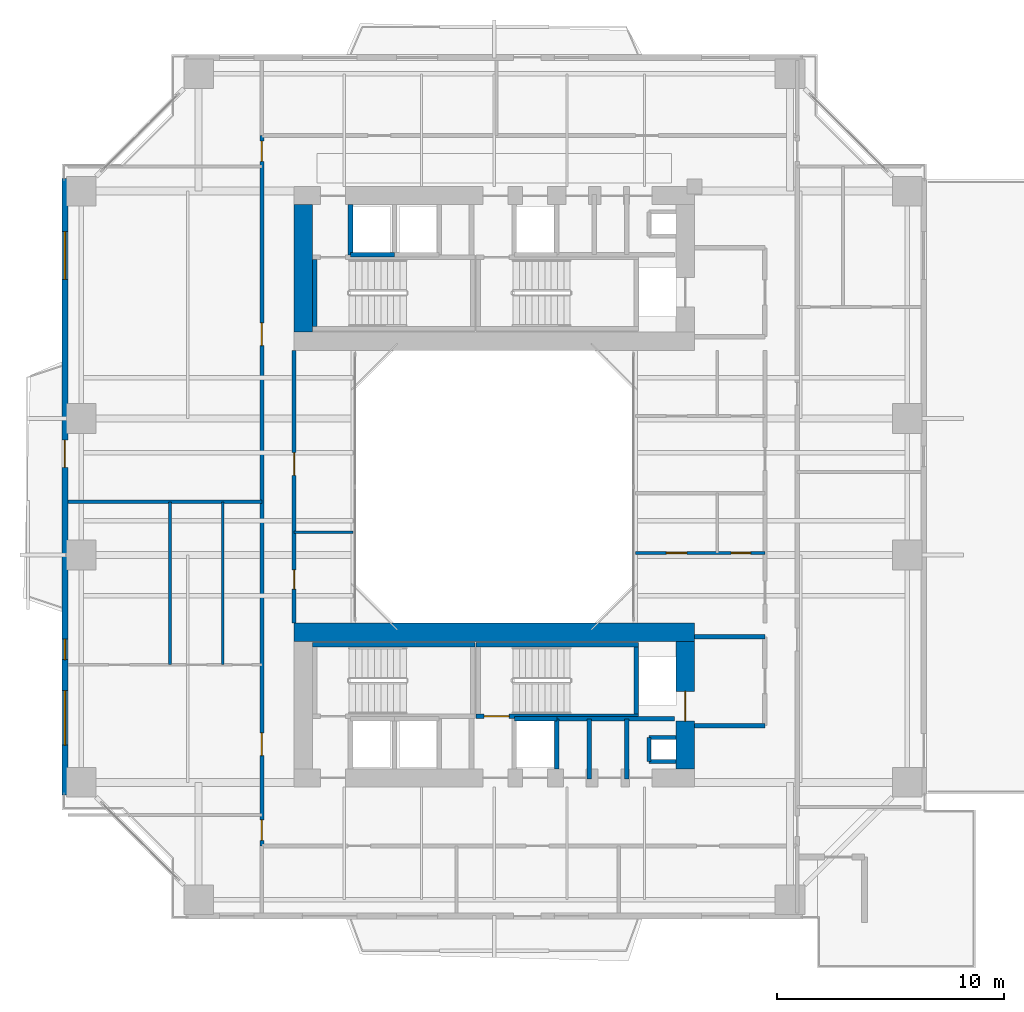
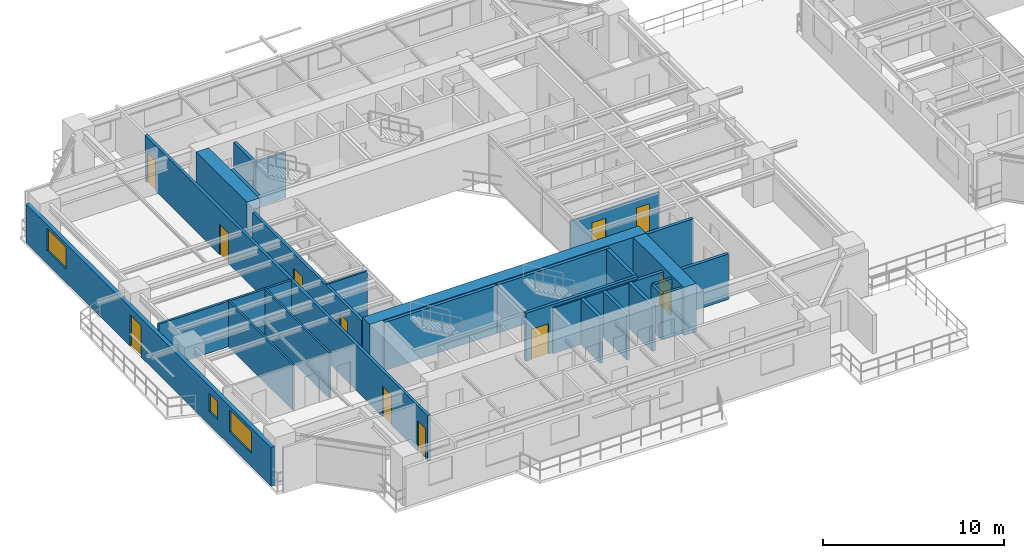
# One storey, part 11 of 22: 28 walls, 11 doors, 3 windows, 14 openings.
"""IFC4 building model written with IfcOpenShell, lengths in metres."""

from ifc_helpers import new_model, si_unit, direction, frame, frame_2d, origin, place, context, subcontext, project, spatial, rectangle, extrude, source, transform, mapped, material, layer, layer_set, type_object, element, fill, save


model = new_model("IFC4")

# Units and contexts
model_context = context("Model", 3, precision=1e-05, world=origin(), true_north=direction((0.0, 1.0)))
body_context = subcontext(model_context, "Body", "Model", "MODEL_VIEW")
ifc_project = project(units=[si_unit("LENGTHUNIT", "METRE"), si_unit("AREAUNIT", "SQUARE_METRE"), si_unit("VOLUMEUNIT", "CUBIC_METRE"), si_unit("PLANEANGLEUNIT", "RADIAN"), si_unit("MASSUNIT", "GRAM", prefix="KILO"), si_unit("THERMODYNAMICTEMPERATUREUNIT", "KELVIN"), si_unit("POWERUNIT", "WATT")], contexts=[model_context])

# Site, building, storey
site_placement = place(None, origin())
site = spatial("IfcSite", under=ifc_project, at=site_placement, CompositionType="ELEMENT")
building_placement = place(site_placement, origin())
building = spatial("IfcBuilding", under=site, at=building_placement, Name="Qiaomeng Ring Towers", CompositionType="ELEMENT")
storey_placement = place(building_placement, frame((0.0, 0.0, 23.0)))
storey = spatial("IfcBuildingStorey", under=building, at=storey_placement, Name="L05", CompositionType="ELEMENT", Elevation=23.0)

# Wall, openings, windows, door
ifc_material_1 = material(Name="Precast concrete C40", Category="concrete")
ifc_layer_1 = layer(ifc_material_1, 0.25, Name="Precast concrete C40")
ifc_layer_set_1 = layer_set([ifc_layer_1], Name="Precast concrete C40")
wall_type_1 = type_object("IfcWallType", Name="ARC-WL-EW1", PredefinedType="STANDARD", material=ifc_layer_set_1)
wall_1_placement = place(storey_placement, frame((0.125, 9.449951171875, 0.0), z_axis=(0.0, 0.0, 1.0), x_axis=(0.0, 1.0, 0.0)))
wall_1 = element("IfcWall", 1, at=wall_1_placement, inside=storey, type_object=wall_type_1, Name="L05 Tower 1 W Exterior Wall", PredefinedType="STANDARD", context=body_context, shape_type="SweptSolid", body=[
    extrude(rectangle(XDim=27.10009765625, YDim=0.25, at=frame_2d((13.550048828125, 0.0))), origin(), (0.0, 0.0, 1.0), 2.610107421875),
])
opening_1_placement = place(wall_1_placement, frame((14.39990234375, 0.0, 0.0)))
opening_1 = element("IfcOpeningElement", 2, at=opening_1_placement, cuts=wall_1, Name="Opening BD1", PredefinedType="OPENING", context=body_context, shape_type="SweptSolid", body=[
    extrude(rectangle(XDim=1.199951171875, YDim=2.10009765625, at=frame_2d((0.60009765625, 1.050048828125))), frame((0.0, 0.135009765625, 0.0), z_axis=(0.0, -1.0, 0.0), x_axis=(1.0, 0.0, 0.0)), (0.0, 0.0, 1.0), 0.27001953125),
])
opening_2_placement = place(wall_1_placement, frame((2.18798828125, 0.0, 0.89990234375)))
opening_2 = element("IfcOpeningElement", 3, at=opening_2_placement, cuts=wall_1, Name="Opening WN6", PredefinedType="OPENING", context=body_context, shape_type="SweptSolid", body=[
    extrude(rectangle(XDim=2.39990234375, YDim=1.47998046875, at=frame_2d((1.199951171875, 0.739990234375))), frame((0.0, 0.135009765625, 0.0), z_axis=(0.0, -1.0, 0.0), x_axis=(1.0, 0.0, 0.0)), (0.0, 0.0, 1.0), 0.27001953125),
])
opening_3_placement = place(wall_1_placement, frame((22.6630859375, 0.0, 0.89990234375)))
opening_3 = element("IfcOpeningElement", 4, at=opening_3_placement, cuts=wall_1, Name="Opening WN4", PredefinedType="OPENING", context=body_context, shape_type="SweptSolid", body=[
    extrude(rectangle(XDim=2.10009765625, YDim=1.47998046875, at=frame_2d((1.050048828125, 0.739990234375))), frame((0.0, 0.135009765625, 0.0), z_axis=(0.0, -1.0, 0.0), x_axis=(1.0, 0.0, 0.0)), (0.0, 0.0, 1.0), 0.27001953125),
])
opening_4_placement = place(wall_1_placement, frame((5.949951171875, 0.0, 0.89990234375)))
opening_4 = element("IfcOpeningElement", 5, at=opening_4_placement, cuts=wall_1, Name="Opening WN5", PredefinedType="OPENING", context=body_context, shape_type="SweptSolid", body=[
    extrude(rectangle(XDim=0.89990234375, YDim=1.199951171875, at=frame_2d((0.449951171875, 0.60009765625))), frame((0.0, 0.135009765625, 0.0), z_axis=(0.0, -1.0, 0.0), x_axis=(1.0, 0.0, 0.0)), (0.0, 0.0, 1.0), 0.27001953125),
])
ifc_material_2 = material(Name="Low-E dark-grey laminated double glazing", Category="glass")
window_type_1 = type_object("IfcWindowType", Name="ARC-WN-4", PartitioningType="TRIPLE_PANEL_VERTICAL", PredefinedType="WINDOW", material=ifc_material_2)
shared_shape_1 = source(origin(), body_context, "Body", "SweptSolid", [
    extrude(rectangle(XDim=2.10009765625, YDim=1.47998046875, at=frame_2d((1.050048828125, 0.739990234375))), frame((0.0, 0.030029296875, 0.0), z_axis=(0.0, -1.0, 0.0), x_axis=(1.0, 0.0, 0.0)), (0.0, 0.0, 1.0), 0.06005859375),
])
window_1_placement = place(opening_3_placement, origin())
window_1 = element("IfcWindow", 6, at=window_1_placement, inside=storey, type_object=window_type_1, Name="L05 Exterior Window WN4", OverallHeight=1.47998046875, OverallWidth=2.10009765625, PartitioningType="TRIPLE_PANEL_VERTICAL", PredefinedType="WINDOW", context=body_context, shape_type="MappedRepresentation", body=[
    mapped(shared_shape_1, transform((0.0, 0.0, 0.0), x_axis=(1.0, 0.0, 0.0), y_axis=(0.0, 1.0, 0.0), z_axis=(0.0, 0.0, 1.0), scale=1.0)),
])
fill(opening_3, window_1)
window_type_2 = type_object("IfcWindowType", Name="ARC-WN-6", PartitioningType="TRIPLE_PANEL_VERTICAL", PredefinedType="WINDOW", material=ifc_material_2)
shared_shape_2 = source(origin(), body_context, "Body", "SweptSolid", [
    extrude(rectangle(XDim=2.39990234375, YDim=1.47998046875, at=frame_2d((1.199951171875, 0.739990234375))), frame((0.0, 0.030029296875, 0.0), z_axis=(0.0, -1.0, 0.0), x_axis=(1.0, 0.0, 0.0)), (0.0, 0.0, 1.0), 0.06005859375),
])
window_2_placement = place(opening_2_placement, origin())
window_2 = element("IfcWindow", 7, at=window_2_placement, inside=storey, type_object=window_type_2, Name="L05 Exterior Window WN6", OverallHeight=1.47998046875, OverallWidth=2.39990234375, PartitioningType="TRIPLE_PANEL_VERTICAL", PredefinedType="WINDOW", context=body_context, shape_type="MappedRepresentation", body=[
    mapped(shared_shape_2, transform((0.0, 0.0, 0.0), x_axis=(1.0, 0.0, 0.0), y_axis=(0.0, 1.0, 0.0), z_axis=(0.0, 0.0, 1.0), scale=1.0)),
])
fill(opening_2, window_2)
door_type_1 = type_object("IfcDoorType", Name="ARC-DR-BD1", OperationType="NOTDEFINED", PredefinedType="DOOR", material=ifc_material_2)
shared_shape_3 = source(origin(), body_context, "Body", "SweptSolid", [
    extrude(rectangle(XDim=1.199951171875, YDim=2.10009765625, at=frame_2d((0.60009765625, 1.050048828125))), frame((0.0, 0.02490234375, 0.0), z_axis=(0.0, -1.0, 0.0), x_axis=(1.0, 0.0, 0.0)), (0.0, 0.0, 1.0), 0.050048828125),
])
door_1_placement = place(opening_1_placement, frame((1.199951171875, 0.0, 0.0), z_axis=(0.0, 0.0, 1.0), x_axis=(-1.0, 0.0, 0.0)))
door_1 = element("IfcDoor", 8, at=door_1_placement, inside=storey, type_object=door_type_1, Name="L05 W Balcony Glazed Door", OperationType="SINGLE_SWING_LEFT", OverallHeight=2.10009765625, OverallWidth=1.199951171875, PredefinedType="DOOR", context=body_context, shape_type="MappedRepresentation", body=[
    mapped(shared_shape_3, transform((0.0, 0.0, 0.0), x_axis=(1.0, 0.0, 0.0), y_axis=(0.0, 1.0, 0.0), z_axis=(0.0, 0.0, 1.0), scale=1.0)),
])
fill(opening_1, door_1)
window_type_3 = type_object("IfcWindowType", Name="ARC-WN-5", PartitioningType="SINGLE_PANEL", PredefinedType="WINDOW", material=ifc_material_2)
shared_shape_4 = source(origin(), body_context, "Body", "SweptSolid", [
    extrude(rectangle(XDim=0.89990234375, YDim=1.199951171875, at=frame_2d((0.449951171875, 0.60009765625))), frame((0.0, 0.030029296875, 0.0), z_axis=(0.0, -1.0, 0.0), x_axis=(1.0, 0.0, 0.0)), (0.0, 0.0, 1.0), 0.06005859375),
])
window_3_placement = place(opening_4_placement, origin())
window_3 = element("IfcWindow", 9, at=window_3_placement, inside=storey, type_object=window_type_3, Name="L05 Exterior Window WN5", OverallHeight=1.199951171875, OverallWidth=0.89990234375, PartitioningType="SINGLE_PANEL", PredefinedType="WINDOW", context=body_context, shape_type="MappedRepresentation", body=[
    mapped(shared_shape_4, transform((0.0, 0.0, 0.0), x_axis=(1.0, 0.0, 0.0), y_axis=(0.0, 1.0, 0.0), z_axis=(0.0, 0.0, 1.0), scale=1.0)),
])
fill(opening_4, window_3)

# Walls
ifc_material_3 = material(Name="Autoclaved aerated concrete block", Category="concrete")
ifc_layer_2 = layer(ifc_material_3, 0.199951171875, Name="Autoclaved aerated concrete block")
ifc_layer_set_2 = layer_set([ifc_layer_2], Name="Autoclaved aerated concrete block")
wall_type_2 = type_object("IfcWallType", Name="ARC-WL-PW1", PredefinedType="PARTITIONING", material=ifc_layer_set_2)
for number, where, z_axis, x_axis, name in (
    (10, (27.800048828125, 16.39990234375, 0.0), (0.0, 0.0, 1.0), (1.0, 0.0, 0.0), "L05 Interior Wall PW1"),
    (11, (27.800048828125, 12.5, 0.0), (0.0, 0.0, 1.0), (1.0, 0.0, 0.0), "L05 Interior Wall PW1"),
):
    element("IfcWall", number, at=place(storey_placement, frame(where, z_axis=z_axis, x_axis=x_axis)), inside=storey, type_object=wall_type_2, Name=name, PredefinedType="PARTITIONING", context=body_context, shape_type="SweptSolid", body=[
        extrude(rectangle(XDim=3.099853515625, YDim=0.199951171875, at=frame_2d((1.5498046875, 0.0))), origin(), (0.0, 0.0, 1.0), 3.070068359375),
    ])
wall_2_placement = place(storey_placement, frame((12.679931640625, 33.18994140625, 0.0), z_axis=(0.0, 0.0, 1.0), x_axis=(0.0, 1.0, 0.0)))
element("IfcWall", 12, at=wall_2_placement, inside=storey, type_object=wall_type_2, Name="L05 Interior Wall PW1", PredefinedType="PARTITIONING", context=body_context, shape_type="SweptSolid", body=[
    extrude(rectangle(XDim=2.2099609375, YDim=0.199951171875, at=frame_2d((1.10498046875, 0.0))), origin(), (0.0, 0.0, 1.0), 3.070068359375),
])
wall_3_placement = place(storey_placement, frame((24.820068359375, 10.14990234375, 0.0), z_axis=(0.0, 0.0, 1.0), x_axis=(0.0, 1.0, 0.0)))
element("IfcWall", 13, at=wall_3_placement, inside=storey, type_object=wall_type_2, Name="L05 Interior Wall PW1", PredefinedType="PARTITIONING", context=body_context, shape_type="SweptSolid", body=[
    extrude(rectangle(XDim=2.650146484375, YDim=0.199951171875, at=frame_2d((1.3251953125, 0.0))), origin(), (0.0, 0.0, 1.0), 3.070068359375),
])
wall_4_placement = place(storey_placement, frame((21.75, 10.60009765625, 0.0), z_axis=(0.0, 0.0, 1.0), x_axis=(0.0, 1.0, 0.0)))
element("IfcWall", 14, at=wall_4_placement, inside=storey, type_object=wall_type_2, Name="L05 Interior Wall PW1", PredefinedType="PARTITIONING", context=body_context, shape_type="SweptSolid", body=[
    extrude(rectangle(XDim=2.199951171875, YDim=0.199951171875, at=frame_2d((1.10009765625, 0.0))), origin(), (0.0, 0.0, 1.0), 3.070068359375),
])
wall_5_placement = place(storey_placement, frame((23.169921875, 10.14990234375, 0.0), z_axis=(0.0, 0.0, 1.0), x_axis=(0.0, 1.0, 0.0)))
element("IfcWall", 15, at=wall_5_placement, inside=storey, type_object=wall_type_2, Name="L05 Interior Wall PW1", PredefinedType="PARTITIONING", context=body_context, shape_type="SweptSolid", body=[
    extrude(rectangle(XDim=2.650146484375, YDim=0.199951171875, at=frame_2d((1.3251953125, 0.0))), origin(), (0.0, 0.0, 1.0), 3.070068359375),
])
wall_6_placement = place(storey_placement, frame((21.75, 12.800048828125, 0.0), z_axis=(0.0, 0.0, 1.0), x_axis=(1.0, 0.0, 0.0)))
element("IfcWall", 16, at=wall_6_placement, inside=storey, type_object=wall_type_2, Name="L05 Interior Wall PW1", PredefinedType="PARTITIONING", context=body_context, shape_type="SweptSolid", body=[
    extrude(rectangle(XDim=5.169921875, YDim=0.199951171875, at=frame_2d((2.5849609375, 0.0))), origin(), (0.0, 0.0, 1.0), 3.070068359375),
])

# Wall, openings, doors
ifc_layer_3 = layer(ifc_material_3, 0.179931640625, Name="Autoclaved aerated concrete block")
ifc_layer_set_3 = layer_set([ifc_layer_3], Name="Autoclaved aerated concrete block")
wall_type_3 = type_object("IfcWallType", Name="ARC-WL-PW2", PredefinedType="PARTITIONING", material=ifc_layer_set_3)
wall_7_placement = place(storey_placement, frame((8.780029296875, 7.2099609375, 0.0), z_axis=(0.0, 0.0, 1.0), x_axis=(0.0, 1.0, 0.0)))
wall_7 = element("IfcWall", 17, at=wall_7_placement, inside=storey, type_object=wall_type_3, Name="L05 Interior Wall PW2", PredefinedType="PARTITIONING", context=body_context, shape_type="SweptSolid", body=[
    extrude(rectangle(XDim=31.22998046875, YDim=0.179931640625, at=frame_2d((15.614990234375, 0.0))), origin(), (0.0, 0.0, 1.0), 3.070068359375),
])
opening_5_placement = place(wall_7_placement, frame((30.090087890625, 0.0, 0.0)))
opening_5 = element("IfcOpeningElement", 18, at=opening_5_placement, cuts=wall_7, Name="Opening ID1", PredefinedType="OPENING", context=body_context, shape_type="SweptSolid", body=[
    extrude(rectangle(XDim=0.89990234375, YDim=2.050048828125, at=frame_2d((0.449951171875, 1.02490234375))), frame((0.0, 0.099853515625, 0.0), z_axis=(0.0, -1.0, 0.0), x_axis=(1.0, 0.0, 0.0)), (0.0, 0.0, 1.0), 0.199951171875),
])
opening_6_placement = place(wall_7_placement, frame((0.239990234375, 0.0, 0.0)))
opening_6 = element("IfcOpeningElement", 19, at=opening_6_placement, cuts=wall_7, Name="Opening ID1", PredefinedType="OPENING", context=body_context, shape_type="SweptSolid", body=[
    extrude(rectangle(XDim=0.89990234375, YDim=2.050048828125, at=frame_2d((0.449951171875, 1.02490234375))), frame((0.0, 0.099853515625, 0.0), z_axis=(0.0, -1.0, 0.0), x_axis=(1.0, 0.0, 0.0)), (0.0, 0.0, 1.0), 0.199951171875),
])
opening_7_placement = place(wall_7_placement, frame((3.97509765625, 0.0, 0.0)))
opening_7 = element("IfcOpeningElement", 20, at=opening_7_placement, cuts=wall_7, Name="Opening FD4", PredefinedType="OPENING", context=body_context, shape_type="SweptSolid", body=[
    extrude(rectangle(XDim=1.0, YDim=2.050048828125, at=frame_2d((0.5, 1.02490234375))), frame((0.0, 0.099853515625, 0.0), z_axis=(0.0, -1.0, 0.0), x_axis=(1.0, 0.0, 0.0)), (0.0, 0.0, 1.0), 0.199951171875),
])
opening_8_placement = place(wall_7_placement, frame((22.0, 0.0, 0.0)))
opening_8 = element("IfcOpeningElement", 21, at=opening_8_placement, cuts=wall_7, Name="Opening FD4", PredefinedType="OPENING", context=body_context, shape_type="SweptSolid", body=[
    extrude(rectangle(XDim=1.0, YDim=2.050048828125, at=frame_2d((0.5, 1.02490234375))), frame((0.0, 0.099853515625, 0.0), z_axis=(0.0, -1.0, 0.0), x_axis=(1.0, 0.0, 0.0)), (0.0, 0.0, 1.0), 0.199951171875),
])
ifc_material_4 = material(Name="Engineered fire-rated oak timber", Category="wood")
door_type_2 = type_object("IfcDoorType", Name="ARC-DR-FD4", OperationType="NOTDEFINED", PredefinedType="DOOR", material=ifc_material_4)
shared_shape_5 = source(origin(), body_context, "Body", "SweptSolid", [
    extrude(rectangle(XDim=1.0, YDim=2.050048828125, at=frame_2d((0.5, 1.02490234375))), frame((0.0, 0.02490234375, 0.0), z_axis=(0.0, -1.0, 0.0), x_axis=(1.0, 0.0, 0.0)), (0.0, 0.0, 1.0), 0.050048828125),
])
door_2_placement = place(opening_7_placement, origin())
door_2 = element("IfcDoor", 22, at=door_2_placement, inside=storey, type_object=door_type_2, Name="L05 Door FD4", OperationType="SINGLE_SWING_RIGHT", OverallHeight=2.050048828125, OverallWidth=1.0, PredefinedType="DOOR", context=body_context, shape_type="MappedRepresentation", body=[
    mapped(shared_shape_5, transform((0.0, 0.0, 0.0), x_axis=(1.0, 0.0, 0.0), y_axis=(0.0, 1.0, 0.0), z_axis=(0.0, 0.0, 1.0), scale=1.0)),
])
fill(opening_7, door_2)
door_3_placement = place(opening_8_placement, origin())
door_3 = element("IfcDoor", 23, at=door_3_placement, inside=storey, type_object=door_type_2, Name="L05 Door FD4", OperationType="SINGLE_SWING_LEFT", OverallHeight=2.050048828125, OverallWidth=1.0, PredefinedType="DOOR", context=body_context, shape_type="MappedRepresentation", body=[
    mapped(shared_shape_5, transform((0.0, 0.0, 0.0), x_axis=(1.0, 0.0, 0.0), y_axis=(0.0, 1.0, 0.0), z_axis=(0.0, 0.0, 1.0), scale=1.0)),
])
fill(opening_8, door_3)
ifc_material_5 = material(Name="Engineered oak timber", Category="wood")
door_type_3 = type_object("IfcDoorType", Name="ARC-DR-ID1", OperationType="NOTDEFINED", PredefinedType="DOOR", material=ifc_material_5)
shared_shape_6 = source(origin(), body_context, "Body", "SweptSolid", [
    extrude(rectangle(XDim=0.89990234375, YDim=2.050048828125, at=frame_2d((0.449951171875, 1.02490234375))), frame((0.0, 0.02490234375, 0.0), z_axis=(0.0, -1.0, 0.0), x_axis=(1.0, 0.0, 0.0)), (0.0, 0.0, 1.0), 0.050048828125),
])
door_4_placement = place(opening_5_placement, origin())
door_4 = element("IfcDoor", 24, at=door_4_placement, inside=storey, type_object=door_type_3, Name="L05 Door ID1", OperationType="SINGLE_SWING_LEFT", OverallHeight=2.050048828125, OverallWidth=0.89990234375, PredefinedType="DOOR", context=body_context, shape_type="MappedRepresentation", body=[
    mapped(shared_shape_6, transform((0.0, 0.0, 0.0), x_axis=(1.0, 0.0, 0.0), y_axis=(0.0, 1.0, 0.0), z_axis=(0.0, 0.0, 1.0), scale=1.0)),
])
fill(opening_5, door_4)
door_5_placement = place(opening_6_placement, origin())
door_5 = element("IfcDoor", 25, at=door_5_placement, inside=storey, type_object=door_type_3, Name="L05 Door ID1", OperationType="SINGLE_SWING_RIGHT", OverallHeight=2.050048828125, OverallWidth=0.89990234375, PredefinedType="DOOR", context=body_context, shape_type="MappedRepresentation", body=[
    mapped(shared_shape_6, transform((0.0, 0.0, 0.0), x_axis=(1.0, 0.0, 0.0), y_axis=(0.0, 1.0, 0.0), z_axis=(0.0, 0.0, 1.0), scale=1.0)),
])
fill(opening_6, door_5)

wall_8_placement = place(storey_placement, frame((10.199951171875, 17.0, 0.0), z_axis=(0.0, 0.0, 1.0), x_axis=(0.0, 1.0, 0.0)))
wall_8 = element("IfcWall", 26, at=wall_8_placement, inside=storey, type_object=wall_type_3, Name="L05 Interior Wall PW2", PredefinedType="PARTITIONING", context=body_context, shape_type="SweptSolid", body=[
    extrude(rectangle(XDim=12.0, YDim=0.179931640625, at=frame_2d((6.0, 0.0))), origin(), (0.0, 0.0, 1.0), 3.070068359375),
])
opening_9_placement = place(wall_8_placement, frame((1.5, 0.0, 0.0)))
opening_9 = element("IfcOpeningElement", 27, at=opening_9_placement, cuts=wall_8, Name="Opening ID2", PredefinedType="OPENING", context=body_context, shape_type="SweptSolid", body=[
    extrude(rectangle(XDim=0.85009765625, YDim=2.050048828125, at=frame_2d((0.425048828125, 1.02490234375))), frame((0.0, 0.099853515625, 0.0), z_axis=(0.0, -1.0, 0.0), x_axis=(1.0, 0.0, 0.0)), (0.0, 0.0, 1.0), 0.199951171875),
])
opening_10_placement = place(wall_8_placement, frame((6.5, 0.0, 0.0)))
opening_10 = element("IfcOpeningElement", 28, at=opening_10_placement, cuts=wall_8, Name="Opening FD4", PredefinedType="OPENING", context=body_context, shape_type="SweptSolid", body=[
    extrude(rectangle(XDim=1.0, YDim=2.050048828125, at=frame_2d((0.5, 1.02490234375))), frame((0.0, 0.099853515625, 0.0), z_axis=(0.0, -1.0, 0.0), x_axis=(1.0, 0.0, 0.0)), (0.0, 0.0, 1.0), 0.199951171875),
])
door_6_placement = place(opening_10_placement, origin())
door_6 = element("IfcDoor", 29, at=door_6_placement, inside=storey, type_object=door_type_2, Name="L05 Door FD4", OperationType="SINGLE_SWING_LEFT", OverallHeight=2.050048828125, OverallWidth=1.0, PredefinedType="DOOR", context=body_context, shape_type="MappedRepresentation", body=[
    mapped(shared_shape_5, transform((0.0, 0.0, 0.0), x_axis=(1.0, 0.0, 0.0), y_axis=(0.0, 1.0, 0.0), z_axis=(0.0, 0.0, 1.0), scale=1.0)),
])
fill(opening_10, door_6)
ifc_material_6 = material(Name="Moisture-resistant engineered timber", Category="wood")
door_type_4 = type_object("IfcDoorType", Name="ARC-DR-ID2", OperationType="NOTDEFINED", PredefinedType="DOOR", material=ifc_material_6)
shared_shape_7 = source(origin(), body_context, "Body", "SweptSolid", [
    extrude(rectangle(XDim=0.85009765625, YDim=2.050048828125, at=frame_2d((0.425048828125, 1.02490234375))), frame((0.0, 0.02490234375, 0.0), z_axis=(0.0, -1.0, 0.0), x_axis=(1.0, 0.0, 0.0)), (0.0, 0.0, 1.0), 0.050048828125),
])
door_7_placement = place(opening_9_placement, origin())
door_7 = element("IfcDoor", 30, at=door_7_placement, inside=storey, type_object=door_type_4, Name="L05 Door ID2", OperationType="SINGLE_SWING_RIGHT", OverallHeight=2.050048828125, OverallWidth=0.85009765625, PredefinedType="DOOR", context=body_context, shape_type="MappedRepresentation", body=[
    mapped(shared_shape_7, transform((0.0, 0.0, 0.0), x_axis=(1.0, 0.0, 0.0), y_axis=(0.0, 1.0, 0.0), z_axis=(0.0, 0.0, 1.0), scale=1.0)),
])
fill(opening_9, door_7)

# Walls
ifc_material_7 = material(Name="Gypsum fireboard steel-stud partition", Category="steel")
ifc_layer_4 = layer(ifc_material_7, 0.14990234375, Name="Gypsum fireboard steel-stud partition")
ifc_layer_set_4 = layer_set([ifc_layer_4], Name="Gypsum fireboard steel-stud partition")
wall_type_4 = type_object("IfcWallType", Name="ARC-WL-PW3", PredefinedType="PARTITIONING", material=ifc_layer_set_4)
wall_9_placement = place(storey_placement, frame((0.25, 22.340087890625, 0.0), z_axis=(0.0, 0.0, 1.0), x_axis=(1.0, 0.0, 0.0)))
element("IfcWall", 31, at=wall_9_placement, inside=storey, type_object=wall_type_4, Name="L05 Interior Wall PW3", PredefinedType="PARTITIONING", context=body_context, shape_type="SweptSolid", body=[
    extrude(rectangle(XDim=8.530029296875, YDim=0.14990234375, at=frame_2d((4.26513671875, 0.0))), origin(), (0.0, 0.0, 1.0), 3.070068359375),
])
ifc_material_8 = material(Name="Moisture-resistant gypsum steel-stud partition", Category="steel")
ifc_layer_5 = layer(ifc_material_8, 0.1201171875, Name="Moisture-resistant gypsum steel-stud partition")
ifc_layer_set_5 = layer_set([ifc_layer_5], Name="Moisture-resistant gypsum steel-stud partition")
wall_type_5 = type_object("IfcWallType", Name="ARC-WL-PW4", PredefinedType="PLUMBINGWALL", material=ifc_layer_set_5)
for number, where, z_axis, x_axis, name in (
    (32, (4.739990234375, 15.179931640625, 0.0), (0.0, 0.0, 1.0), (0.0, 1.0, 0.0), "L05 Interior Wall PW4"),
    (33, (7.06005859375, 15.179931640625, 0.0), (0.0, 0.0, 1.0), (0.0, 1.0, 0.0), "L05 Interior Wall PW4"),
):
    element("IfcWall", number, at=place(storey_placement, frame(where, z_axis=z_axis, x_axis=x_axis)), inside=storey, type_object=wall_type_5, Name=name, PredefinedType="PLUMBINGWALL", context=body_context, shape_type="SweptSolid", body=[
        extrude(rectangle(XDim=7.16015625, YDim=0.1201171875, at=frame_2d((3.580078125, 0.0))), origin(), (0.0, 0.0, 1.0), 3.070068359375),
    ])
wall_10_placement = place(storey_placement, frame((10.199951171875, 21.0, 0.0), z_axis=(0.0, 0.0, 1.0), x_axis=(1.0, 0.0, 0.0)))
element("IfcWall", 34, at=wall_10_placement, inside=storey, type_object=wall_type_5, Name="L05 Interior Wall PW4", PredefinedType="PLUMBINGWALL", context=body_context, shape_type="SweptSolid", body=[
    extrude(rectangle(XDim=2.580078125, YDim=0.1201171875, at=frame_2d((1.2900390625, 0.0))), origin(), (0.0, 0.0, 1.0), 3.070068359375),
])

# Wall, openings, doors
wall_11_placement = place(storey_placement, frame((25.219970703125, 20.090087890625, 0.0), z_axis=(0.0, 0.0, 1.0), x_axis=(1.0, 0.0, 0.0)))
wall_11 = element("IfcWall", 35, at=wall_11_placement, inside=storey, type_object=wall_type_5, Name="L05 Interior Wall PW4", PredefinedType="PLUMBINGWALL", context=body_context, shape_type="SweptSolid", body=[
    extrude(rectangle(XDim=5.679931640625, YDim=0.1201171875, at=frame_2d((2.83984375, 0.0))), origin(), (0.0, 0.0, 1.0), 2.625),
])
opening_11_placement = place(wall_11_placement, frame((1.35009765625, 0.0, 0.0)))
opening_11 = element("IfcOpeningElement", 36, at=opening_11_placement, cuts=wall_11, Name="Opening ID1", PredefinedType="OPENING", context=body_context, shape_type="SweptSolid", body=[
    extrude(rectangle(XDim=0.89990234375, YDim=2.050048828125, at=frame_2d((0.449951171875, 1.02490234375))), frame((0.0, 0.070068359375, 0.0), z_axis=(0.0, -1.0, 0.0), x_axis=(1.0, 0.0, 0.0)), (0.0, 0.0, 1.0), 0.14013671875),
])
opening_12_placement = place(wall_11_placement, frame((4.195068359375, 0.0, 0.0)))
opening_12 = element("IfcOpeningElement", 37, at=opening_12_placement, cuts=wall_11, Name="Opening ID2", PredefinedType="OPENING", context=body_context, shape_type="SweptSolid", body=[
    extrude(rectangle(XDim=0.85009765625, YDim=2.050048828125, at=frame_2d((0.425048828125, 1.02490234375))), frame((0.0, 0.070068359375, 0.0), z_axis=(0.0, -1.0, 0.0), x_axis=(1.0, 0.0, 0.0)), (0.0, 0.0, 1.0), 0.14013671875),
])
door_8_placement = place(opening_12_placement, origin())
door_8 = element("IfcDoor", 38, at=door_8_placement, inside=storey, type_object=door_type_4, Name="L05 Door ID2", OperationType="SINGLE_SWING_LEFT", OverallHeight=2.050048828125, OverallWidth=0.85009765625, PredefinedType="DOOR", context=body_context, shape_type="MappedRepresentation", body=[
    mapped(shared_shape_7, transform((0.0, 0.0, 0.0), x_axis=(1.0, 0.0, 0.0), y_axis=(0.0, 1.0, 0.0), z_axis=(0.0, 0.0, 1.0), scale=1.0)),
])
fill(opening_12, door_8)
door_9_placement = place(opening_11_placement, origin())
door_9 = element("IfcDoor", 39, at=door_9_placement, inside=storey, type_object=door_type_3, Name="L05 Door ID1", OperationType="SINGLE_SWING_RIGHT", OverallHeight=2.050048828125, OverallWidth=0.89990234375, PredefinedType="DOOR", context=body_context, shape_type="MappedRepresentation", body=[
    mapped(shared_shape_6, transform((0.0, 0.0, 0.0), x_axis=(1.0, 0.0, 0.0), y_axis=(0.0, 1.0, 0.0), z_axis=(0.0, 0.0, 1.0), scale=1.0)),
])
fill(opening_11, door_9)

# Walls
ifc_material_9 = material(Name="Concrete C40", Category="concrete")
ifc_layer_6 = layer(ifc_material_9, 0.199951171875, Name="Concrete C40")
ifc_layer_set_6 = layer_set([ifc_layer_6], Name="Concrete C40")
wall_type_6 = type_object("IfcWallType", Name="STR-WL-STSHAFT", PredefinedType="SHEAR", material=ifc_layer_set_6)
wall_12_placement = place(storey_placement, frame((12.679931640625, 33.199951171875, 0.0), z_axis=(0.0, 0.0, 1.0), x_axis=(1.0, 0.0, 0.0)))
element("IfcWall", 40, at=wall_12_placement, inside=storey, type_object=wall_type_6, Name="L05 Lift LP5 Shaft Back Wall", PredefinedType="SHEAR", context=body_context, shape_type="SweptSolid", body=[
    extrude(rectangle(XDim=1.940185546875, YDim=0.179931640625, at=frame_2d((0.97021484375, 0.0))), origin(), (0.0, 0.0, 1.0), 3.070068359375),
])
wall_13_placement = place(storey_placement, frame((25.800048828125, 10.919921875, 0.0), z_axis=(0.0, 0.0, 1.0), x_axis=(0.0, 1.0, 0.0)))
element("IfcWall", 41, at=wall_13_placement, inside=storey, type_object=wall_type_6, Name="L05 Riser RSR1 West Shaft Wall S", PredefinedType="SHEAR", context=body_context, shape_type="SweptSolid", body=[
    extrude(rectangle(XDim=1.06005859375, YDim=0.179931640625, at=frame_2d((0.530029296875, 0.0))), origin(), (0.0, 0.0, 1.0), 3.070068359375),
])
for number, where, z_axis, x_axis, name in (
    (42, (25.800048828125, 11.97998046875, 0.0), (0.0, 0.0, 1.0), (1.0, 0.0, 0.0), "L05 Riser RSR1 North Shaft Wall S"),
    (43, (25.800048828125, 10.919921875, 0.0), (0.0, 0.0, 1.0), (1.0, 0.0, 0.0), "L05 Riser RSR1 South Shaft Wall S"),
):
    element("IfcWall", number, at=place(storey_placement, frame(where, z_axis=z_axis, x_axis=x_axis)), inside=storey, type_object=wall_type_6, Name=name, PredefinedType="SHEAR", context=body_context, shape_type="SweptSolid", body=[
        extrude(rectangle(XDim=1.199951171875, YDim=0.179931640625, at=frame_2d((0.60009765625, 0.0))), origin(), (0.0, 0.0, 1.0), 3.070068359375),
    ])
wall_14_placement = place(storey_placement, frame((19.8798828125, 12.800048828125, 0.0), z_axis=(0.0, 0.0, 1.0), x_axis=(1.0, 0.0, 0.0)))
element("IfcWall", 44, at=wall_14_placement, inside=storey, type_object=wall_type_6, Name="L05 Lift LP2 Shaft Back Wall", PredefinedType="SHEAR", context=body_context, shape_type="SweptSolid", body=[
    extrude(rectangle(XDim=1.8701171875, YDim=0.179931640625, at=frame_2d((0.93505859375, 0.0))), origin(), (0.0, 0.0, 1.0), 3.070068359375),
])
wall_15_placement = place(storey_placement, frame((11.10009765625, 30.050048828125, 0.0), z_axis=(0.0, 0.0, 1.0), x_axis=(0.0, 1.0, 0.0)))
element("IfcWall", 45, at=wall_15_placement, inside=storey, type_object=wall_type_6, Name="L05 Stair ST1 West Shaft Shear Wall", PredefinedType="SHEAR", context=body_context, shape_type="SweptSolid", body=[
    extrude(rectangle(XDim=2.93994140625, YDim=0.199951171875, at=frame_2d((1.469970703125, 0.0))), origin(), (0.0, 0.0, 1.0), 3.25),
])
wall_16_placement = place(storey_placement, frame((11.0, 16.050048828125, 0.0), z_axis=(0.0, 0.0, 1.0), x_axis=(1.0, 0.0, 0.0)))
element("IfcWall", 46, at=wall_16_placement, inside=storey, type_object=wall_type_6, Name="L05 Stair ST3 North Shaft Shear Wall", PredefinedType="SHEAR", context=body_context, shape_type="SweptSolid", body=[
    extrude(rectangle(XDim=7.14990234375, YDim=0.199951171875, at=frame_2d((3.574951171875, 0.0))), origin(), (0.0, 0.0, 1.0), 3.25),
])

# Wall, opening, door
wall_17_placement = place(storey_placement, frame((18.199951171875, 12.909912109375, 0.0), z_axis=(0.0, 0.0, 1.0), x_axis=(1.0, 0.0, 0.0)))
wall_17 = element("IfcWall", 47, at=wall_17_placement, inside=storey, type_object=wall_type_6, Name="L05 Stair ST4 South Shaft Shear Wall", PredefinedType="SHEAR", context=body_context, shape_type="SweptSolid", body=[
    extrude(rectangle(XDim=7.150146484375, YDim=0.199951171875, at=frame_2d((3.5751953125, 0.0))), origin(), (0.0, 0.0, 1.0), 3.25),
])
opening_13_placement = place(wall_17_placement, frame((0.35009765625, 0.0, 0.0)))
opening_13 = element("IfcOpeningElement", 48, at=opening_13_placement, cuts=wall_17, Name="Opening FD3", PredefinedType="OPENING", context=body_context, shape_type="SweptSolid", body=[
    extrude(rectangle(XDim=1.10009765625, YDim=2.050048828125, at=frame_2d((0.550048828125, 1.02490234375))), frame((0.0, 0.10986328125, 0.0), z_axis=(0.0, -1.0, 0.0), x_axis=(1.0, 0.0, 0.0)), (0.0, 0.0, 1.0), 0.219970703125),
])
ifc_material_10 = material(Name="Galvanised steel", Category="steel")
door_type_5 = type_object("IfcDoorType", Name="ARC-DR-FD3", OperationType="NOTDEFINED", PredefinedType="DOOR", material=ifc_material_10)
shared_shape_8 = source(origin(), body_context, "Body", "SweptSolid", [
    extrude(rectangle(XDim=1.10009765625, YDim=2.050048828125, at=frame_2d((0.550048828125, 1.02490234375))), frame((0.0, 0.02490234375, 0.0), z_axis=(0.0, -1.0, 0.0), x_axis=(1.0, 0.0, 0.0)), (0.0, 0.0, 1.0), 0.050048828125),
])
door_10_placement = place(opening_13_placement, frame((1.10009765625, 0.0, 0.0), z_axis=(0.0, 0.0, 1.0), x_axis=(-1.0, 0.0, 0.0)))
door_10 = element("IfcDoor", 49, at=door_10_placement, inside=storey, type_object=door_type_5, Name="L05 Stair ST4 Exit Door", OperationType="SINGLE_SWING_LEFT", OverallHeight=2.050048828125, OverallWidth=1.10009765625, PredefinedType="DOOR", context=body_context, shape_type="MappedRepresentation", body=[
    mapped(shared_shape_8, transform((0.0, 0.0, 0.0), x_axis=(1.0, 0.0, 0.0), y_axis=(0.0, 1.0, 0.0), z_axis=(0.0, 0.0, 1.0), scale=1.0)),
])
fill(opening_13, door_10)

# Walls
wall_18_placement = place(storey_placement, frame((18.199951171875, 16.050048828125, 0.0), z_axis=(0.0, 0.0, 1.0), x_axis=(1.0, 0.0, 0.0)))
element("IfcWall", 50, at=wall_18_placement, inside=storey, type_object=wall_type_6, Name="L05 Stair ST4 North Shaft Shear Wall", PredefinedType="SHEAR", context=body_context, shape_type="SweptSolid", body=[
    extrude(rectangle(XDim=7.150146484375, YDim=0.199951171875, at=frame_2d((3.5751953125, 0.0))), origin(), (0.0, 0.0, 1.0), 3.25),
])
wall_19_placement = place(storey_placement, frame((25.25, 13.010009765625, 0.0), z_axis=(0.0, 0.0, 1.0), x_axis=(0.0, 1.0, 0.0)))
element("IfcWall", 51, at=wall_19_placement, inside=storey, type_object=wall_type_6, Name="L05 Stair ST4 East Shaft Shear Wall", PredefinedType="SHEAR", context=body_context, shape_type="SweptSolid", body=[
    extrude(rectangle(XDim=2.93994140625, YDim=0.199951171875, at=frame_2d((1.469970703125, 0.0))), origin(), (0.0, 0.0, 1.0), 3.25),
])
ifc_material_11 = material(Name="Concrete C60", Category="concrete")
ifc_layer_7 = layer(ifc_material_11, 0.800048828125, Name="Concrete C60")
ifc_layer_set_7 = layer_set([ifc_layer_7], Name="Concrete C60")
wall_type_7 = type_object("IfcWallType", Name="STR-WL-SW1", PredefinedType="SHEAR", material=ifc_layer_set_7)
wall_20_placement = place(storey_placement, frame((10.60009765625, 29.800048828125, 0.0), z_axis=(0.0, 0.0, 1.0), x_axis=(0.0, 1.0, 0.0)))
element("IfcWall", 52, at=wall_20_placement, inside=storey, type_object=wall_type_7, Name="L05 T1NC west core shear wall", PredefinedType="SHEAR", context=body_context, shape_type="SweptSolid", body=[
    extrude(rectangle(XDim=5.599853515625, YDim=0.800048828125, at=frame_2d((2.7998046875, 0.0))), origin(), (0.0, 0.0, 1.0), 3.25),
])
wall_21_placement = place(storey_placement, frame((10.199951171875, 16.60009765625, 0.0), z_axis=(0.0, 0.0, 1.0), x_axis=(1.0, 0.0, 0.0)))
element("IfcWall", 53, at=wall_21_placement, inside=storey, type_object=wall_type_7, Name="L05 T1SC north core shear wall", PredefinedType="SHEAR", context=body_context, shape_type="SweptSolid", body=[
    extrude(rectangle(XDim=17.60009765625, YDim=0.800048828125, at=frame_2d((8.800048828125, 0.0))), origin(), (0.0, 0.0, 1.0), 3.25),
])

# Wall, opening, door
wall_22_placement = place(storey_placement, frame((27.39990234375, 10.60009765625, 0.0), z_axis=(0.0, 0.0, 1.0), x_axis=(0.0, 1.0, 0.0)))
wall_22 = element("IfcWall", 54, at=wall_22_placement, inside=storey, type_object=wall_type_7, Name="L05 T1SC east core shear wall", PredefinedType="SHEAR", context=body_context, shape_type="SweptSolid", body=[
    extrude(rectangle(XDim=5.599853515625, YDim=0.800048828125, at=frame_2d((2.7998046875, 0.0))), origin(), (0.0, 0.0, 1.0), 3.25),
])
opening_14_placement = place(wall_22_placement, frame((2.10009765625, 0.0, 0.0)))
opening_14 = element("IfcOpeningElement", 55, at=opening_14_placement, cuts=wall_22, Name="Opening LD2", PredefinedType="OPENING", context=body_context, shape_type="SweptSolid", body=[
    extrude(rectangle(XDim=1.300048828125, YDim=2.050048828125, at=frame_2d((0.64990234375, 1.02490234375))), frame((0.0, 0.409912109375, 0.0), z_axis=(0.0, -1.0, 0.0), x_axis=(1.0, 0.0, 0.0)), (0.0, 0.0, 1.0), 0.820068359375),
])
ifc_material_12 = material(Name="Stainless steel 316", Category="steel")
door_type_6 = type_object("IfcDoorType", Name="ARC-DR-LD2", OperationType="NOTDEFINED", PredefinedType="DOOR", material=ifc_material_12)
shared_shape_9 = source(origin(), body_context, "Body", "SweptSolid", [
    extrude(rectangle(XDim=1.300048828125, YDim=2.050048828125, at=frame_2d((0.64990234375, 1.02490234375))), frame((0.0, 0.02490234375, 0.0), z_axis=(0.0, -1.0, 0.0), x_axis=(1.0, 0.0, 0.0)), (0.0, 0.0, 1.0), 0.050048828125),
])
door_11_placement = place(opening_14_placement, origin())
door_11 = element("IfcDoor", 56, at=door_11_placement, inside=storey, type_object=door_type_6, Name="L05 Firefighting Lift FL2 Landing Door", OperationType="SLIDING_TO_RIGHT", OverallHeight=2.050048828125, OverallWidth=1.300048828125, PredefinedType="DOOR", context=body_context, shape_type="MappedRepresentation", body=[
    mapped(shared_shape_9, transform((0.0, 0.0, 0.0), x_axis=(1.0, 0.0, 0.0), y_axis=(0.0, 1.0, 0.0), z_axis=(0.0, 0.0, 1.0), scale=1.0)),
])
fill(opening_14, door_11)

save(model, "model.ifc")
